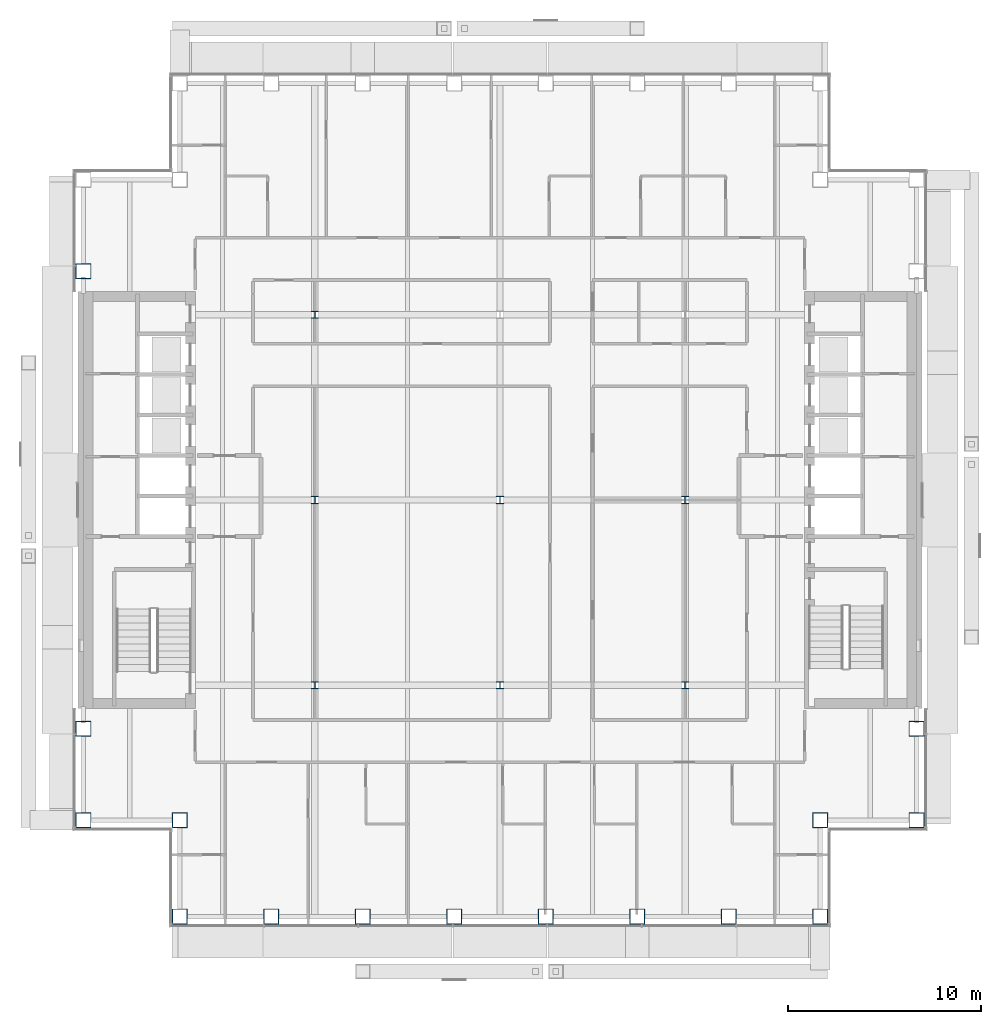
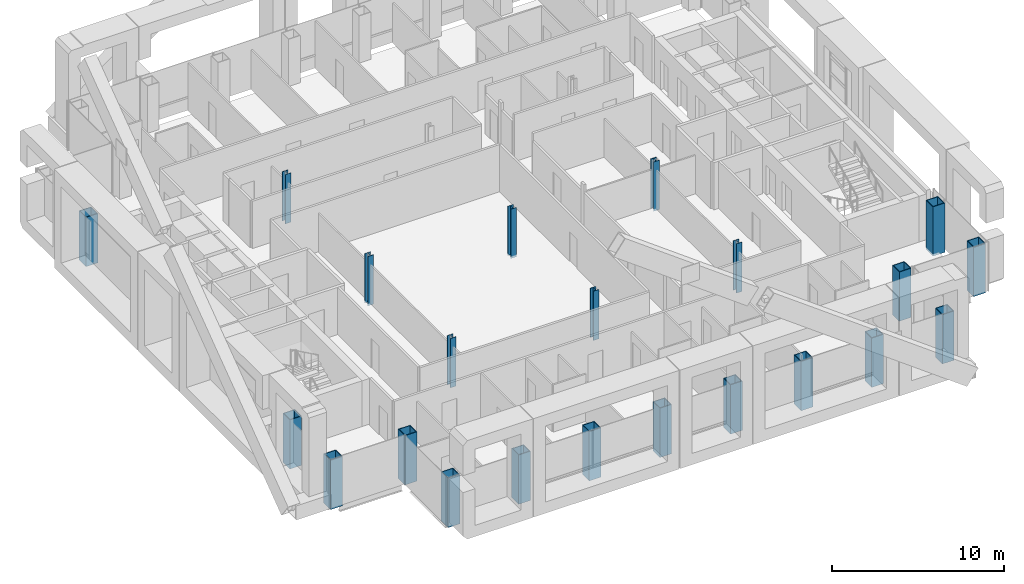
# One storey, part 1 of 22: 22 columns.
"""IFC4 building model written with IfcOpenShell, lengths in metres."""

from ifc_helpers import new_model, si_unit, direction, frame, origin, origin_2d, place, context, subcontext, project, spatial, hollow_rectangle, i_section, extrude, material, material_profile, profile_set, type_object, element, save


model = new_model("IFC4")

# Units and contexts
model_context = context("Model", 3, precision=1e-05, world=origin(), true_north=direction((0.0, 1.0)))
body_context = subcontext(model_context, "Body", "Model", "MODEL_VIEW")
ifc_project = project(units=[si_unit("LENGTHUNIT", "METRE"), si_unit("AREAUNIT", "SQUARE_METRE"), si_unit("VOLUMEUNIT", "CUBIC_METRE"), si_unit("PLANEANGLEUNIT", "RADIAN"), si_unit("MASSUNIT", "GRAM", prefix="KILO")], contexts=[model_context])

# Site, building, storey
site_placement = place(None, origin())
site = spatial("IfcSite", under=ifc_project, at=site_placement, CompositionType="ELEMENT")
building_placement = place(site_placement, origin())
building = spatial("IfcBuilding", under=site, at=building_placement, Name="Cobrizo Arcos Hotel Tower", CompositionType="ELEMENT")
storey_placement = place(building_placement, frame((0.0, 0.0, 162.0)))
storey = spatial("IfcBuildingStorey", under=building, at=storey_placement, Name="L41", CompositionType="ELEMENT", Elevation=162.0)

# Columns
ifc_material_1 = material(Name="Steel ASTM A572 Grade 50", Category="steel")
ifc_material_profile_1 = material_profile(ifc_material_1, hollow_rectangle(XDim=0.800048828125, YDim=0.800048828125, WallThickness=0.044921875, at=origin_2d()), Name="BOX 800X800X45")
ifc_profile_set_1 = profile_set([ifc_material_profile_1], Name="Steel ASTM A572 Grade 50")
column_type_1 = type_object("IfcColumnType", Name="BOX 800X800X45 column", PredefinedType="COLUMN", material=ifc_profile_set_1)
for number, where, z_axis, x_axis, name in (
    (1, (-16.60009765625, -21.60009765625, -0.14990234375), (0.0, 0.0, 1.0), (1.0, 0.0, 0.0), "Perimeter column C8, L41, no. 01"),
    (2, (-11.85693359375, -21.60009765625, -0.14990234375), (0.0, 0.0, 1.0), (1.0, 0.0, 0.0), "Perimeter column C8, L41, no. 03"),
    (3, (-7.114013671875, -21.60009765625, -0.14990234375), (0.0, 0.0, 1.0), (1.0, 0.0, 0.0), "Perimeter column C8, L41, no. 05"),
    (4, (-2.37109375, -21.60009765625, -0.14990234375), (0.0, 0.0, 1.0), (1.0, 0.0, 0.0), "Perimeter column C8, L41, no. 07"),
    (5, (2.37109375, -21.60009765625, -0.14990234375), (0.0, 0.0, 1.0), (1.0, 0.0, 0.0), "Perimeter column C8, L41, no. 09"),
    (6, (7.114013671875, -21.60009765625, -0.14990234375), (0.0, 0.0, 1.0), (1.0, 0.0, 0.0), "Perimeter column C8, L41, no. 11"),
    (7, (11.85693359375, -21.60009765625, -0.14990234375), (0.0, 0.0, 1.0), (1.0, 0.0, 0.0), "Perimeter column C8, L41, no. 13"),
    (8, (16.60009765625, -21.60009765625, -0.14990234375), (0.0, 0.0, 1.0), (1.0, 0.0, 0.0), "Perimeter column C8, L41, no. 15"),
    (9, (21.60009765625, -16.60009765625, -0.14990234375), (0.0, 0.0, 1.0), (1.0, 0.0, 0.0), "Perimeter column C8, L41, no. 16"),
    (10, (-21.60009765625, -16.60009765625, -0.14990234375), (0.0, 0.0, 1.0), (1.0, 0.0, 0.0), "Perimeter column C8, L41, no. 17"),
    (11, (21.60009765625, -11.85693359375, -0.14990234375), (0.0, 0.0, 1.0), (1.0, 0.0, 0.0), "Perimeter column C8, L41, no. 18"),
    (12, (-21.60009765625, -11.85693359375, -0.14990234375), (0.0, 0.0, 1.0), (1.0, 0.0, 0.0), "Perimeter column C8, L41, no. 19"),
    (13, (-21.60009765625, 11.85693359375, -0.14990234375), (0.0, 0.0, 1.0), (1.0, 0.0, 0.0), "Perimeter column C8, L41, no. 21"),
    (14, (-16.60009765625, -16.60009765625, -0.14990234375), (0.0, 0.0, 1.0), (1.0, 0.0, 0.0), "Perimeter column C8, L41, no. 24"),
    (15, (16.60009765625, -16.60009765625, -0.14990234375), (0.0, 0.0, 1.0), (1.0, 0.0, 0.0), "Perimeter column C8, L41, no. 26"),
):
    element("IfcColumn", number, at=place(storey_placement, frame(where, z_axis=z_axis, x_axis=x_axis)), inside=storey, type_object=column_type_1, Name=name, PredefinedType="COLUMN", context=body_context, shape_type="SweptSolid", body=[
        extrude(hollow_rectangle(XDim=0.800048828125, YDim=0.800048828125, WallThickness=0.044921875, at=origin_2d()), origin(), (0.0, 0.0, 1.0), 3.5),
    ])
ifc_material_2 = material(Name="Steel ASTM A992 Grade 50", Category="steel")
ifc_material_profile_2 = material_profile(ifc_material_2, i_section(OverallWidth=0.373291015625, OverallDepth=0.373291015625, WebThickness=0.016357421875, FlangeThickness=0.026123046875, at=origin_2d()), Name="W14X132")
ifc_profile_set_2 = profile_set([ifc_material_profile_2], Name="Steel ASTM A992 Grade 50")
column_type_2 = type_object("IfcColumnType", Name="W14X132 interior column", PredefinedType="COLUMN", material=ifc_profile_set_2)
for number, where, z_axis, x_axis, name in (
    (16, (-9.60009765625, -9.60009765625, -0.14990234375), (0.0, 0.0, 1.0), (1.0, 0.0, 0.0), "Interior column C9, L41, no. 00"),
    (17, (-9.60009765625, 0.0, -0.14990234375), (0.0, 0.0, 1.0), (1.0, 0.0, 0.0), "Interior column C9, L41, no. 01"),
    (18, (-9.60009765625, 9.60009765625, -0.14990234375), (0.0, 0.0, 1.0), (1.0, 0.0, 0.0), "Interior column C9, L41, no. 02"),
    (19, (0.0, -9.60009765625, -0.14990234375), (0.0, 0.0, 1.0), (1.0, 0.0, 0.0), "Interior column C9, L41, no. 03"),
    (20, (0.0, 0.0, -0.14990234375), (0.0, 0.0, 1.0), (1.0, 0.0, 0.0), "Interior column C9, L41, no. 04"),
    (21, (9.60009765625, -9.60009765625, -0.14990234375), (0.0, 0.0, 1.0), (1.0, 0.0, 0.0), "Interior column C9, L41, no. 06"),
    (22, (9.60009765625, 0.0, -0.14990234375), (0.0, 0.0, 1.0), (1.0, 0.0, 0.0), "Interior column C9, L41, no. 07"),
):
    element("IfcColumn", number, at=place(storey_placement, frame(where, z_axis=z_axis, x_axis=x_axis)), inside=storey, type_object=column_type_2, Name=name, PredefinedType="COLUMN", context=body_context, shape_type="SweptSolid", body=[
        extrude(i_section(OverallWidth=0.373291015625, OverallDepth=0.373291015625, WebThickness=0.016357421875, FlangeThickness=0.026123046875, at=origin_2d()), origin(), (0.0, 0.0, 1.0), 3.5),
    ])

save(model, "model.ifc")
